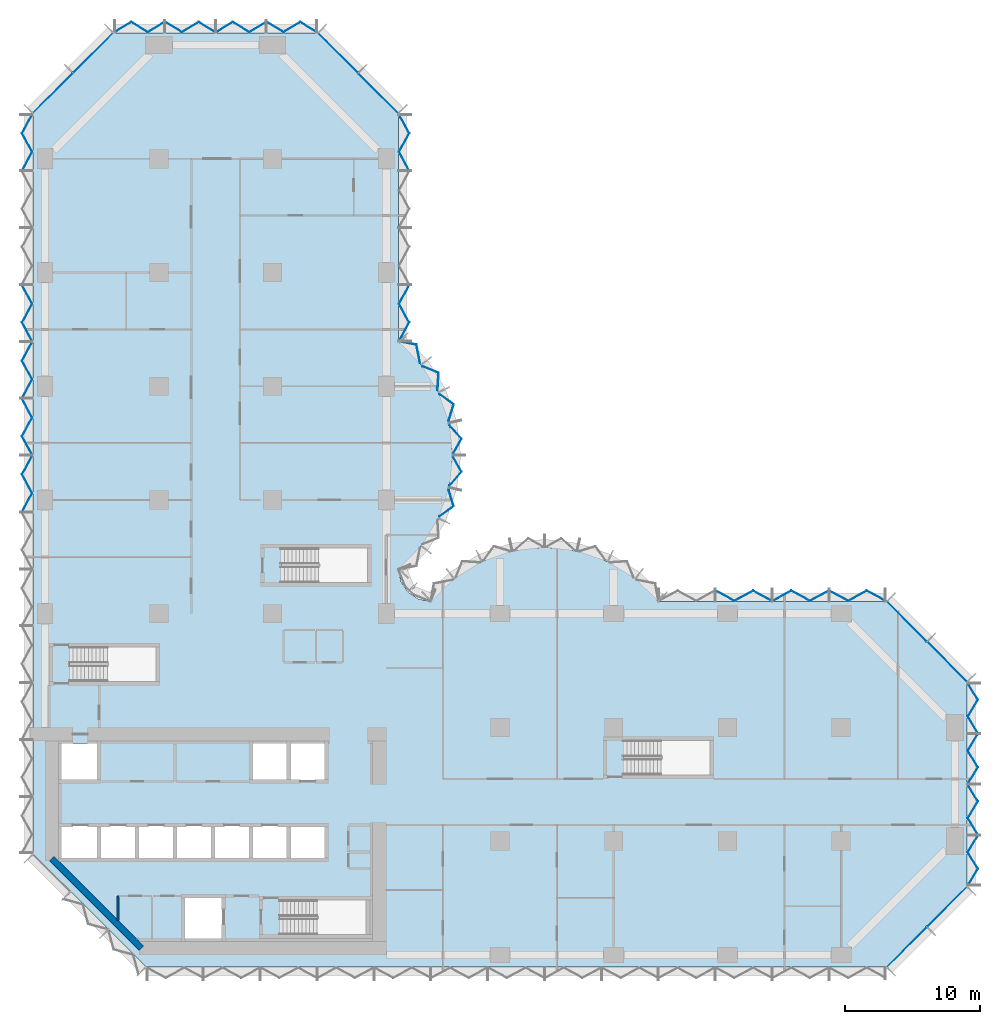
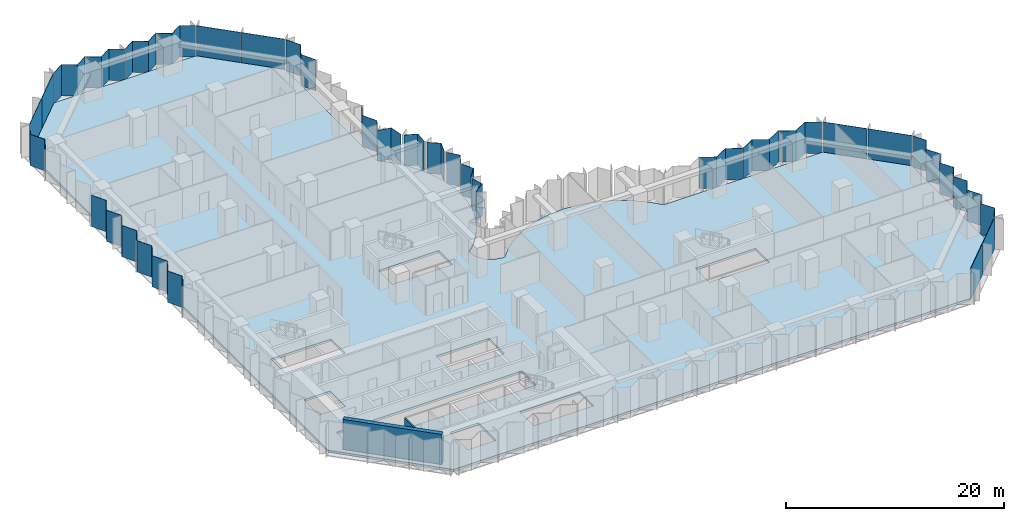
# One storey, part 6 of 15: 32 plates, 2 walls, 1 slab, 10 elements without a shape of their own.
"""IFC4 building model written with IfcOpenShell, lengths in metres."""

from ifc_helpers import new_model, si_unit, direction, frame, frame_2d, origin, place, context, subcontext, project, spatial, polyline, rectangle, outline, extrude, material, layer, layer_set, type_object, element, aggregate, save


model = new_model("IFC4")

# Units and contexts
model_context = context("Model", 3, precision=1e-05, world=origin(), true_north=direction((0.0, 1.0)))
body_context = subcontext(model_context, "Body", "Model", "MODEL_VIEW")
ifc_project = project(units=[si_unit("LENGTHUNIT", "METRE"), si_unit("AREAUNIT", "SQUARE_METRE"), si_unit("VOLUMEUNIT", "CUBIC_METRE"), si_unit("PLANEANGLEUNIT", "RADIAN"), si_unit("MASSUNIT", "GRAM", prefix="KILO")], contexts=[model_context])

# Site, building, storey
site_placement = place(None, origin())
site = spatial("IfcSite", under=ifc_project, at=site_placement, CompositionType="ELEMENT")
building_placement = place(site_placement, origin())
building = spatial("IfcBuilding", under=site, at=building_placement, Name="Brevane Broadcast Tower", CompositionType="ELEMENT")
storey_placement = place(building_placement, frame((0.0, 0.0, 54.5)))
storey = spatial("IfcBuildingStorey", under=building, at=storey_placement, Name="L11", CompositionType="ELEMENT", Elevation=54.5)

# Curtain wall, plates
ifc_material_1 = material(Name="Aluminium 6063-T6 bronze anodised", Category="aluminium")
curtain_wall_type = type_object("IfcCurtainWallType", Name="CW-1 curtain wall", PredefinedType="NOTDEFINED", material=ifc_material_1)
curtain_wall_1_placement = place(storey_placement, origin())
curtain_wall_1 = element("IfcCurtainWall", 1, at=curtain_wall_1_placement, inside=storey, type_object=curtain_wall_type, Name="CW-1 typical tilted unit L11 south-east chamfer", PredefinedType="NOTDEFINED")
ifc_material_2 = material(Name="Laminated glass bronze-tinted", Category="glass")
ifc_layer_1 = layer(ifc_material_2, 0.0400390625)
ifc_layer_set_1 = layer_set([ifc_layer_1], Name="CW tall glass panel 40")
plate_type = type_object("IfcPlateType", Name="CW tall glass panel 40", PredefinedType="CURTAIN_PANEL", material=ifc_layer_set_1)
plate_1_placement = place(storey_placement, frame((0.0, 0.0, -0.14990234375)))
plate_1 = element("IfcPlate", 2, at=plate_1_placement, type_object=plate_type, Name="CW-1 glass panel", PredefinedType="CURTAIN_PANEL", context=body_context, shape_type="SweptSolid", body=[
    extrude(outline(polyline([(62.14599609375, -0.896484375), (65.096435546875, 2.053955078125), (65.124755859375, 2.02587890625), (62.17431640625, -0.9248046875), (62.14599609375, -0.896484375)])), origin(), (0.0, 0.0, 1.0), 3.5),
])
plate_2_placement = place(storey_placement, frame((0.0, 0.0, -0.14990234375)))
plate_2 = element("IfcPlate", 3, at=plate_2_placement, type_object=plate_type, Name="CW-1 glass panel", PredefinedType="CURTAIN_PANEL", context=body_context, shape_type="SweptSolid", body=[
    extrude(outline(polyline([(65.14599609375, 2.103515625), (68.096435546875, 5.053955078125), (68.124755859375, 5.02587890625), (65.17431640625, 2.0751953125), (65.14599609375, 2.103515625)])), origin(), (0.0, 0.0, 1.0), 3.5),
])
aggregate(curtain_wall_1, [plate_1, plate_2])

curtain_wall_2_placement = place(storey_placement, origin())
curtain_wall_2 = element("IfcCurtainWall", 4, at=curtain_wall_2_placement, inside=storey, type_object=curtain_wall_type, Name="CW-1 typical tilted unit L11 east end", PredefinedType="NOTDEFINED")
plate_3_placement = place(storey_placement, frame((0.0, 0.0, -0.14990234375)))
plate_3 = element("IfcPlate", 5, at=plate_3_placement, type_object=plate_type, Name="CW-1 glass panel", PredefinedType="CURTAIN_PANEL", context=body_context, shape_type="SweptSolid", body=[
    extrude(outline(polyline([(68.126708984375, 5.135009765625), (68.17333984375, 5.135009765625), (68.917724609375, 6.36181640625), (68.17333984375, 7.58837890625), (68.917724609375, 8.81494140625), (68.87109375, 8.81494140625), (68.126708984375, 7.58837890625), (68.87109375, 6.36181640625), (68.126708984375, 5.135009765625)])), origin(), (0.0, 0.0, 1.0), 3.5),
])
plate_4_placement = place(storey_placement, frame((0.0, 0.0, -0.14990234375)))
plate_4 = element("IfcPlate", 6, at=plate_4_placement, type_object=plate_type, Name="CW-1 glass panel", PredefinedType="CURTAIN_PANEL", context=body_context, shape_type="SweptSolid", body=[
    extrude(outline(polyline([(68.87109375, 8.885009765625), (68.917724609375, 8.885009765625), (68.17333984375, 10.11181640625), (68.917724609375, 11.33837890625), (68.17333984375, 12.56494140625), (68.126708984375, 12.56494140625), (68.87109375, 11.33837890625), (68.126708984375, 10.11181640625), (68.87109375, 8.885009765625)])), origin(), (0.0, 0.0, 1.0), 3.5),
])
plate_5_placement = place(storey_placement, frame((0.0, 0.0, -0.14990234375)))
plate_5 = element("IfcPlate", 7, at=plate_5_placement, type_object=plate_type, Name="CW-1 glass panel", PredefinedType="CURTAIN_PANEL", context=body_context, shape_type="SweptSolid", body=[
    extrude(outline(polyline([(68.126708984375, 12.635009765625), (68.17333984375, 12.635009765625), (68.917724609375, 13.86181640625), (68.17333984375, 15.08837890625), (68.917724609375, 16.31494140625), (68.87109375, 16.31494140625), (68.126708984375, 15.08837890625), (68.87109375, 13.86181640625), (68.126708984375, 12.635009765625)])), origin(), (0.0, 0.0, 1.0), 3.5),
])
plate_6_placement = place(storey_placement, frame((0.0, 0.0, -0.14990234375)))
plate_6 = element("IfcPlate", 8, at=plate_6_placement, type_object=plate_type, Name="CW-1 glass panel", PredefinedType="CURTAIN_PANEL", context=body_context, shape_type="SweptSolid", body=[
    extrude(outline(polyline([(68.87109375, 16.385009765625), (68.917724609375, 16.385009765625), (68.17333984375, 17.61181640625), (68.917724609375, 18.83837890625), (68.17333984375, 20.06494140625), (68.126708984375, 20.06494140625), (68.87109375, 18.83837890625), (68.126708984375, 17.61181640625), (68.87109375, 16.385009765625)])), origin(), (0.0, 0.0, 1.0), 3.5),
])
aggregate(curtain_wall_2, [plate_3, plate_4, plate_5, plate_6])

curtain_wall_3_placement = place(storey_placement, origin())
curtain_wall_3 = element("IfcCurtainWall", 9, at=curtain_wall_3_placement, inside=storey, type_object=curtain_wall_type, Name="CW-1 typical tilted unit L11 north-east chamfer", PredefinedType="NOTDEFINED")
plate_7_placement = place(storey_placement, frame((0.0, 0.0, -0.14990234375)))
plate_7 = element("IfcPlate", 10, at=plate_7_placement, type_object=plate_type, Name="CW-1 glass panel", PredefinedType="CURTAIN_PANEL", context=body_context, shape_type="SweptSolid", body=[
    extrude(outline(polyline([(68.096435546875, 20.14599609375), (65.14599609375, 23.096435546875), (65.17431640625, 23.124755859375), (68.124755859375, 20.17431640625), (68.096435546875, 20.14599609375)])), origin(), (0.0, 0.0, 1.0), 3.5),
])
plate_8_placement = place(storey_placement, frame((0.0, 0.0, -0.14990234375)))
plate_8 = element("IfcPlate", 11, at=plate_8_placement, type_object=plate_type, Name="CW-1 glass panel", PredefinedType="CURTAIN_PANEL", context=body_context, shape_type="SweptSolid", body=[
    extrude(outline(polyline([(65.096435546875, 23.14599609375), (62.14599609375, 26.096435546875), (62.17431640625, 26.124755859375), (65.124755859375, 23.17431640625), (65.096435546875, 23.14599609375)])), origin(), (0.0, 0.0, 1.0), 3.5),
])
aggregate(curtain_wall_3, [plate_7, plate_8])

curtain_wall_4_placement = place(storey_placement, origin())
curtain_wall_4 = element("IfcCurtainWall", 12, at=curtain_wall_4_placement, inside=storey, type_object=curtain_wall_type, Name="CW-1 typical tilted unit L11 east arm north face", PredefinedType="NOTDEFINED")
plate_9_placement = place(storey_placement, frame((0.0, 0.0, -0.14990234375)))
plate_9 = element("IfcPlate", 13, at=plate_9_placement, type_object=plate_type, Name="CW-1 glass panel", PredefinedType="CURTAIN_PANEL", context=body_context, shape_type="SweptSolid", body=[
    extrude(outline(polyline([(62.06494140625, 26.127197265625), (62.06494140625, 26.172607421875), (60.688232421875, 26.9169921875), (59.311767578125, 26.172607421875), (57.93505859375, 26.9169921875), (57.93505859375, 26.87158203125), (59.311767578125, 26.127197265625), (60.688232421875, 26.87158203125), (62.06494140625, 26.127197265625)])), origin(), (0.0, 0.0, 1.0), 3.5),
])
plate_10_placement = place(storey_placement, frame((0.0, 0.0, -0.14990234375)))
plate_10 = element("IfcPlate", 14, at=plate_10_placement, type_object=plate_type, Name="CW-1 glass panel", PredefinedType="CURTAIN_PANEL", context=body_context, shape_type="SweptSolid", body=[
    extrude(outline(polyline([(57.864990234375, 26.87158203125), (57.864990234375, 26.9169921875), (56.48828125, 26.172607421875), (55.11181640625, 26.9169921875), (53.735107421875, 26.172607421875), (53.735107421875, 26.127197265625), (55.11181640625, 26.87158203125), (56.48828125, 26.127197265625), (57.864990234375, 26.87158203125)])), origin(), (0.0, 0.0, 1.0), 3.5),
])
plate_11_placement = place(storey_placement, frame((0.0, 0.0, -0.14990234375)))
plate_11 = element("IfcPlate", 15, at=plate_11_placement, type_object=plate_type, Name="CW-1 glass panel", PredefinedType="CURTAIN_PANEL", context=body_context, shape_type="SweptSolid", body=[
    extrude(outline(polyline([(53.6650390625, 26.127197265625), (53.6650390625, 26.172607421875), (52.288330078125, 26.9169921875), (50.91162109375, 26.172607421875), (49.534912109375, 26.9169921875), (49.534912109375, 26.87158203125), (50.91162109375, 26.127197265625), (52.288330078125, 26.87158203125), (53.6650390625, 26.127197265625)])), origin(), (0.0, 0.0, 1.0), 3.5),
])
aggregate(curtain_wall_4, [plate_9, plate_10, plate_11])

curtain_wall_5_placement = place(storey_placement, origin())
curtain_wall_5 = element("IfcCurtainWall", 16, at=curtain_wall_5_placement, inside=storey, type_object=curtain_wall_type, Name="CW-1 typical tilted unit L11 north bow", PredefinedType="NOTDEFINED")
plate_12_placement = place(storey_placement, frame((0.0, 0.0, -0.14990234375)))
plate_12 = element("IfcPlate", 17, at=plate_12_placement, type_object=plate_type, Name="CW-1 glass panel", PredefinedType="CURTAIN_PANEL", context=body_context, shape_type="SweptSolid", body=[
    extrude(outline(polyline([(29.104248046875, 32.400634765625), (29.1455078125, 32.381103515625), (30.20166015625, 33.132080078125), (29.83349609375, 34.349365234375), (29.78857421875, 34.359619140625), (30.155029296875, 33.148193359375), (29.104248046875, 32.400634765625)])), origin(), (0.0, 0.0, 1.0), 3.5),
])
plate_13_placement = place(storey_placement, frame((0.0, 0.0, -0.14990234375)))
plate_13 = element("IfcPlate", 18, at=plate_13_placement, type_object=plate_type, Name="CW-1 glass panel", PredefinedType="CURTAIN_PANEL", context=body_context, shape_type="SweptSolid", body=[
    extrude(outline(polyline([(29.859619140625, 34.6748046875), (29.903564453125, 34.664794921875), (30.779296875, 35.68310546875), (30.15869140625, 36.7919921875), (30.11279296875, 36.7919921875), (30.730712890625, 35.68798828125), (29.859619140625, 34.6748046875)])), origin(), (0.0, 0.0, 1.0), 3.5),
])
plate_14_placement = place(storey_placement, frame((0.0, 0.0, -0.14990234375)))
plate_14 = element("IfcPlate", 19, at=plate_14_placement, type_object=plate_type, Name="CW-1 glass panel", PredefinedType="CURTAIN_PANEL", context=body_context, shape_type="SweptSolid", body=[
    extrude(outline(polyline([(30.11279296875, 37.008056640625), (30.15869140625, 37.008056640625), (30.779296875, 38.116943359375), (29.903564453125, 39.13525390625), (29.859619140625, 39.125), (30.730712890625, 38.112060546875), (30.11279296875, 37.008056640625)])), origin(), (0.0, 0.0, 1.0), 3.5),
])
plate_15_placement = place(storey_placement, frame((0.0, 0.0, -0.14990234375)))
plate_15 = element("IfcPlate", 20, at=plate_15_placement, type_object=plate_type, Name="CW-1 glass panel", PredefinedType="CURTAIN_PANEL", context=body_context, shape_type="SweptSolid", body=[
    extrude(outline(polyline([(29.78857421875, 39.440185546875), (29.83349609375, 39.45068359375), (30.20166015625, 40.667724609375), (29.1455078125, 41.4189453125), (29.104248046875, 41.3994140625), (30.155029296875, 40.65185546875), (29.78857421875, 39.440185546875)])), origin(), (0.0, 0.0, 1.0), 3.5),
])
plate_16_placement = place(storey_placement, frame((0.0, 0.0, -0.14990234375)))
plate_16 = element("IfcPlate", 21, at=plate_16_placement, type_object=plate_type, Name="CW-1 glass panel", PredefinedType="CURTAIN_PANEL", context=body_context, shape_type="SweptSolid", body=[
    extrude(outline(polyline([(28.96533203125, 41.69091796875), (29.006591796875, 41.710693359375), (29.089111328125, 43.00390625), (27.912109375, 43.4853515625), (27.8759765625, 43.45703125), (29.04736328125, 42.977783203125), (28.96533203125, 41.69091796875)])), origin(), (0.0, 0.0, 1.0), 3.5),
])
plate_17_placement = place(storey_placement, frame((0.0, 0.0, -0.14990234375)))
plate_17 = element("IfcPlate", 22, at=plate_17_placement, type_object=plate_type, Name="CW-1 glass panel", PredefinedType="CURTAIN_PANEL", context=body_context, shape_type="SweptSolid", body=[
    extrude(outline(polyline([(27.67626953125, 43.7109375), (27.71142578125, 43.738525390625), (27.447265625, 45.086181640625), (26.17919921875, 45.327880859375), (26.14404296875, 45.2939453125), (27.4130859375, 45.052001953125), (27.67626953125, 43.7109375)])), origin(), (0.0, 0.0, 1.0), 3.5),
])
aggregate(curtain_wall_5, [plate_12, plate_13, plate_14, plate_15, plate_16, plate_17])

curtain_wall_6_placement = place(storey_placement, origin())
curtain_wall_6 = element("IfcCurtainWall", 23, at=curtain_wall_6_placement, inside=storey, type_object=curtain_wall_type, Name="CW-1 typical tilted unit L11 north arm east face", PredefinedType="NOTDEFINED")
plate_18_placement = place(storey_placement, frame((0.0, 0.0, -0.14990234375)))
plate_18 = element("IfcPlate", 24, at=plate_18_placement, type_object=plate_type, Name="CW-1 glass panel", PredefinedType="CURTAIN_PANEL", context=body_context, shape_type="SweptSolid", body=[
    extrude(outline(polyline([(26.127197265625, 45.3349609375), (26.172607421875, 45.3349609375), (26.9169921875, 46.711669921875), (26.172607421875, 48.08837890625), (26.9169921875, 49.465087890625), (26.87158203125, 49.465087890625), (26.127197265625, 48.08837890625), (26.87158203125, 46.711669921875), (26.127197265625, 45.3349609375)])), origin(), (0.0, 0.0, 1.0), 3.5),
])
plate_19_placement = place(storey_placement, frame((0.0, 0.0, -0.14990234375)))
plate_19 = element("IfcPlate", 25, at=plate_19_placement, type_object=plate_type, Name="CW-1 glass panel", PredefinedType="CURTAIN_PANEL", context=body_context, shape_type="SweptSolid", body=[
    extrude(outline(polyline([(26.87158203125, 57.93505859375), (26.9169921875, 57.93505859375), (26.172607421875, 59.311767578125), (26.9169921875, 60.688232421875), (26.172607421875, 62.06494140625), (26.127197265625, 62.06494140625), (26.87158203125, 60.688232421875), (26.127197265625, 59.311767578125), (26.87158203125, 57.93505859375)])), origin(), (0.0, 0.0, 1.0), 3.5),
])
aggregate(curtain_wall_6, [plate_18, plate_19])

curtain_wall_7_placement = place(storey_placement, origin())
curtain_wall_7 = element("IfcCurtainWall", 26, at=curtain_wall_7_placement, inside=storey, type_object=curtain_wall_type, Name="CW-1 typical tilted unit L11 north arm north-east chamfer", PredefinedType="NOTDEFINED")
plate_20_placement = place(storey_placement, frame((0.0, 0.0, -0.14990234375)))
plate_20 = element("IfcPlate", 27, at=plate_20_placement, type_object=plate_type, Name="CW-1 glass panel", PredefinedType="CURTAIN_PANEL", context=body_context, shape_type="SweptSolid", body=[
    extrude(outline(polyline([(26.096435546875, 62.14599609375), (23.14599609375, 65.096435546875), (23.17431640625, 65.124755859375), (26.124755859375, 62.17431640625), (26.096435546875, 62.14599609375)])), origin(), (0.0, 0.0, 1.0), 3.5),
])
plate_21_placement = place(storey_placement, frame((0.0, 0.0, -0.14990234375)))
plate_21 = element("IfcPlate", 28, at=plate_21_placement, type_object=plate_type, Name="CW-1 glass panel", PredefinedType="CURTAIN_PANEL", context=body_context, shape_type="SweptSolid", body=[
    extrude(outline(polyline([(23.096435546875, 65.14599609375), (20.14599609375, 68.096435546875), (20.17431640625, 68.124755859375), (23.124755859375, 65.17431640625), (23.096435546875, 65.14599609375)])), origin(), (0.0, 0.0, 1.0), 3.5),
])
aggregate(curtain_wall_7, [plate_20, plate_21])

curtain_wall_8_placement = place(storey_placement, origin())
curtain_wall_8 = element("IfcCurtainWall", 29, at=curtain_wall_8_placement, inside=storey, type_object=curtain_wall_type, Name="CW-1 typical tilted unit L11 north end", PredefinedType="NOTDEFINED")
plate_22_placement = place(storey_placement, frame((0.0, 0.0, -0.14990234375)))
plate_22 = element("IfcPlate", 30, at=plate_22_placement, type_object=plate_type, Name="CW-1 glass panel", PredefinedType="CURTAIN_PANEL", context=body_context, shape_type="SweptSolid", body=[
    extrude(outline(polyline([(20.06494140625, 68.126708984375), (20.06494140625, 68.17333984375), (18.83837890625, 68.917724609375), (17.61181640625, 68.17333984375), (16.385009765625, 68.917724609375), (16.385009765625, 68.87109375), (17.61181640625, 68.126708984375), (18.83837890625, 68.87109375), (20.06494140625, 68.126708984375)])), origin(), (0.0, 0.0, 1.0), 3.5),
])
plate_23_placement = place(storey_placement, frame((0.0, 0.0, -0.14990234375)))
plate_23 = element("IfcPlate", 31, at=plate_23_placement, type_object=plate_type, Name="CW-1 glass panel", PredefinedType="CURTAIN_PANEL", context=body_context, shape_type="SweptSolid", body=[
    extrude(outline(polyline([(16.31494140625, 68.87109375), (16.31494140625, 68.917724609375), (15.08837890625, 68.17333984375), (13.86181640625, 68.917724609375), (12.635009765625, 68.17333984375), (12.635009765625, 68.126708984375), (13.86181640625, 68.87109375), (15.08837890625, 68.126708984375), (16.31494140625, 68.87109375)])), origin(), (0.0, 0.0, 1.0), 3.5),
])
plate_24_placement = place(storey_placement, frame((0.0, 0.0, -0.14990234375)))
plate_24 = element("IfcPlate", 32, at=plate_24_placement, type_object=plate_type, Name="CW-1 glass panel", PredefinedType="CURTAIN_PANEL", context=body_context, shape_type="SweptSolid", body=[
    extrude(outline(polyline([(12.56494140625, 68.126708984375), (12.56494140625, 68.17333984375), (11.33837890625, 68.917724609375), (10.11181640625, 68.17333984375), (8.885009765625, 68.917724609375), (8.885009765625, 68.87109375), (10.11181640625, 68.126708984375), (11.33837890625, 68.87109375), (12.56494140625, 68.126708984375)])), origin(), (0.0, 0.0, 1.0), 3.5),
])
plate_25_placement = place(storey_placement, frame((0.0, 0.0, -0.14990234375)))
plate_25 = element("IfcPlate", 33, at=plate_25_placement, type_object=plate_type, Name="CW-1 glass panel", PredefinedType="CURTAIN_PANEL", context=body_context, shape_type="SweptSolid", body=[
    extrude(outline(polyline([(8.81494140625, 68.87109375), (8.81494140625, 68.917724609375), (7.58837890625, 68.17333984375), (6.36181640625, 68.917724609375), (5.135009765625, 68.17333984375), (5.135009765625, 68.126708984375), (6.36181640625, 68.87109375), (7.58837890625, 68.126708984375), (8.81494140625, 68.87109375)])), origin(), (0.0, 0.0, 1.0), 3.5),
])
aggregate(curtain_wall_8, [plate_22, plate_23, plate_24, plate_25])

curtain_wall_9_placement = place(storey_placement, origin())
curtain_wall_9 = element("IfcCurtainWall", 34, at=curtain_wall_9_placement, inside=storey, type_object=curtain_wall_type, Name="CW-1 typical tilted unit L11 north-west chamfer", PredefinedType="NOTDEFINED")
plate_26_placement = place(storey_placement, frame((0.0, 0.0, -0.14990234375)))
plate_26 = element("IfcPlate", 35, at=plate_26_placement, type_object=plate_type, Name="CW-1 glass panel", PredefinedType="CURTAIN_PANEL", context=body_context, shape_type="SweptSolid", body=[
    extrude(outline(polyline([(5.053955078125, 68.096435546875), (2.103515625, 65.14599609375), (2.0751953125, 65.17431640625), (5.02587890625, 68.124755859375), (5.053955078125, 68.096435546875)])), origin(), (0.0, 0.0, 1.0), 3.5),
])
plate_27_placement = place(storey_placement, frame((0.0, 0.0, -0.14990234375)))
plate_27 = element("IfcPlate", 36, at=plate_27_placement, type_object=plate_type, Name="CW-1 glass panel", PredefinedType="CURTAIN_PANEL", context=body_context, shape_type="SweptSolid", body=[
    extrude(outline(polyline([(2.053955078125, 65.096435546875), (-0.896484375, 62.14599609375), (-0.9248046875, 62.17431640625), (2.02587890625, 65.124755859375), (2.053955078125, 65.096435546875)])), origin(), (0.0, 0.0, 1.0), 3.5),
])
aggregate(curtain_wall_9, [plate_26, plate_27])

curtain_wall_10_placement = place(storey_placement, origin())
curtain_wall_10 = element("IfcCurtainWall", 37, at=curtain_wall_10_placement, inside=storey, type_object=curtain_wall_type, Name="CW-1 typical tilted unit L11 west face", PredefinedType="NOTDEFINED")
plate_28_placement = place(storey_placement, frame((0.0, 0.0, -0.14990234375)))
plate_28 = element("IfcPlate", 38, at=plate_28_placement, type_object=plate_type, Name="CW-1 glass panel", PredefinedType="CURTAIN_PANEL", context=body_context, shape_type="SweptSolid", body=[
    extrude(outline(polyline([(-0.92724609375, 62.06494140625), (-0.97265625, 62.06494140625), (-1.717041015625, 60.688232421875), (-0.97265625, 59.311767578125), (-1.717041015625, 57.93505859375), (-1.671630859375, 57.93505859375), (-0.92724609375, 59.311767578125), (-1.671630859375, 60.688232421875), (-0.92724609375, 62.06494140625)])), origin(), (0.0, 0.0, 1.0), 3.5),
])
plate_29_placement = place(storey_placement, frame((0.0, 0.0, -0.14990234375)))
plate_29 = element("IfcPlate", 39, at=plate_29_placement, type_object=plate_type, Name="CW-1 glass panel", PredefinedType="CURTAIN_PANEL", context=body_context, shape_type="SweptSolid", body=[
    extrude(outline(polyline([(-1.671630859375, 49.465087890625), (-1.717041015625, 49.465087890625), (-0.97265625, 48.08837890625), (-1.717041015625, 46.711669921875), (-0.97265625, 45.3349609375), (-0.92724609375, 45.3349609375), (-1.671630859375, 46.711669921875), (-0.92724609375, 48.08837890625), (-1.671630859375, 49.465087890625)])), origin(), (0.0, 0.0, 1.0), 3.5),
])
plate_30_placement = place(storey_placement, frame((0.0, 0.0, -0.14990234375)))
plate_30 = element("IfcPlate", 40, at=plate_30_placement, type_object=plate_type, Name="CW-1 glass panel", PredefinedType="CURTAIN_PANEL", context=body_context, shape_type="SweptSolid", body=[
    extrude(outline(polyline([(-0.92724609375, 45.264892578125), (-0.97265625, 45.264892578125), (-1.717041015625, 43.88818359375), (-0.97265625, 42.51171875), (-1.717041015625, 41.135009765625), (-1.671630859375, 41.135009765625), (-0.92724609375, 42.51171875), (-1.671630859375, 43.88818359375), (-0.92724609375, 45.264892578125)])), origin(), (0.0, 0.0, 1.0), 3.5),
])
plate_31_placement = place(storey_placement, frame((0.0, 0.0, -0.14990234375)))
plate_31 = element("IfcPlate", 41, at=plate_31_placement, type_object=plate_type, Name="CW-1 glass panel", PredefinedType="CURTAIN_PANEL", context=body_context, shape_type="SweptSolid", body=[
    extrude(outline(polyline([(-1.671630859375, 41.06494140625), (-1.717041015625, 41.06494140625), (-0.97265625, 39.688232421875), (-1.717041015625, 38.311767578125), (-0.97265625, 36.93505859375), (-0.92724609375, 36.93505859375), (-1.671630859375, 38.311767578125), (-0.92724609375, 39.688232421875), (-1.671630859375, 41.06494140625)])), origin(), (0.0, 0.0, 1.0), 3.5),
])
plate_32_placement = place(storey_placement, frame((0.0, 0.0, -0.14990234375)))
plate_32 = element("IfcPlate", 42, at=plate_32_placement, type_object=plate_type, Name="CW-1 glass panel", PredefinedType="CURTAIN_PANEL", context=body_context, shape_type="SweptSolid", body=[
    extrude(outline(polyline([(-0.92724609375, 36.864990234375), (-0.97265625, 36.864990234375), (-1.717041015625, 35.48828125), (-0.97265625, 34.11181640625), (-1.717041015625, 32.735107421875), (-1.671630859375, 32.735107421875), (-0.92724609375, 34.11181640625), (-1.671630859375, 35.48828125), (-0.92724609375, 36.864990234375)])), origin(), (0.0, 0.0, 1.0), 3.5),
])
aggregate(curtain_wall_10, [plate_28, plate_29, plate_30, plate_31, plate_32])

# Slab
ifc_material_3 = material(Name="Concrete C40/50", Category="concrete")
ifc_layer_2 = layer(ifc_material_3, 0.25)
ifc_layer_set_2 = layer_set([ifc_layer_2], Name="RC FLOOR SLAB 250 C40/50")
slab_type = type_object("IfcSlabType", Name="RC FLOOR SLAB 250 C40/50", PredefinedType="FLOOR", material=ifc_layer_set_2)
slab_placement = place(storey_placement, frame((0.0, 0.0, -0.25)))
element("IfcSlab", 43, at=slab_placement, inside=storey, type_object=slab_type, Name="SL250 L11", PredefinedType="FLOOR", context=body_context, shape_type="SweptSolid", body=[
    extrude(outline(polyline([(-0.89990234375, 7.5), (-0.89990234375, 62.10009765625), (5.10009765625, 68.10009765625), (20.10009765625, 68.10009765625), (26.10009765625, 62.10009765625), (26.10009765625, 45.300048828125), (27.10888671875, 44.36865234375), (27.99169921875, 43.317138671875), (28.734130859375, 42.162353515625), (29.324462890625, 40.922607421875), (29.7529296875, 39.618408203125), (30.012939453125, 38.270263671875), (30.10009765625, 36.89990234375), (30.012939453125, 35.52978515625), (29.7529296875, 34.181640625), (29.324462890625, 32.877197265625), (28.734130859375, 31.6376953125), (27.99169921875, 30.48291015625), (27.10888671875, 29.431396484375), (26.10009765625, 28.5), (26.28271484375, 27.58154296875), (26.802978515625, 26.802978515625), (27.58154296875, 26.28271484375), (28.5, 26.10009765625), (29.431396484375, 27.10888671875), (30.48291015625, 27.99169921875), (31.6376953125, 28.734130859375), (32.877197265625, 29.324462890625), (34.181640625, 29.7529296875), (35.52978515625, 30.012939453125), (36.89990234375, 30.10009765625), (38.270263671875, 30.012939453125), (39.618408203125, 29.7529296875), (40.922607421875, 29.324462890625), (42.162353515625, 28.734130859375), (43.317138671875, 27.99169921875), (44.36865234375, 27.10888671875), (45.300048828125, 26.10009765625), (62.10009765625, 26.10009765625), (68.10009765625, 20.10009765625), (68.10009765625, 5.10009765625), (62.10009765625, -0.89990234375), (7.5, -0.89990234375), (-0.89990234375, 7.5)]), holes=[polyline([(13.199951171875, 4.39990234375), (10.199951171875, 4.39990234375), (10.199951171875, 1.199951171875), (13.199951171875, 1.199951171875), (13.199951171875, 4.39990234375)]), polyline([(4.0, 9.60009765625), (1.199951171875, 9.60009765625), (1.199951171875, 7.0), (4.0, 7.0), (6.800048828125, 7.0), (9.60009765625, 7.0), (12.39990234375, 7.0), (15.199951171875, 7.0), (18.0, 7.0), (20.800048828125, 7.0), (20.800048828125, 9.60009765625), (18.0, 9.60009765625), (15.199951171875, 9.60009765625), (12.39990234375, 9.60009765625), (9.60009765625, 9.60009765625), (6.800048828125, 9.60009765625), (4.0, 9.60009765625)]), polyline([(4.0, 12.800048828125), (4.0, 15.60009765625), (1.199951171875, 15.60009765625), (1.199951171875, 12.800048828125), (4.0, 12.800048828125)]), polyline([(8.199951171875, 22.75), (1.860107421875, 22.75), (1.860107421875, 20.199951171875), (8.199951171875, 20.199951171875), (8.199951171875, 22.75)]), polyline([(23.699951171875, 4.050048828125), (17.360107421875, 4.050048828125), (17.360107421875, 1.5), (23.699951171875, 1.5), (23.699951171875, 4.050048828125)]), polyline([(18.0, 15.60009765625), (15.199951171875, 15.60009765625), (15.199951171875, 12.800048828125), (18.0, 12.800048828125), (20.800048828125, 12.800048828125), (20.800048828125, 15.60009765625), (18.0, 15.60009765625)]), polyline([(49.10009765625, 15.85009765625), (42.760009765625, 15.85009765625), (42.760009765625, 13.300048828125), (49.10009765625, 13.300048828125), (49.10009765625, 15.85009765625)]), polyline([(23.800048828125, 30.050048828125), (17.4599609375, 30.050048828125), (17.4599609375, 27.5), (23.800048828125, 27.5), (23.800048828125, 30.050048828125)])]), origin(), (0.0, 0.0, 1.0), 0.25),
])

# Walls
ifc_material_4 = material(Name="Gypsum board on steel studs", Category="steel")
ifc_layer_3 = layer(ifc_material_4, 0.14990234375)
ifc_layer_set_3 = layer_set([ifc_layer_3], Name="Core fire partition 150 mm")
wall_type_1 = type_object("IfcWallType", Name="Core fire partition 150 mm", PredefinedType="PARTITIONING", material=ifc_layer_set_3)
wall_1_placement = place(storey_placement, frame((5.39990234375, 2.553466796875, 0.0), z_axis=(0.0, 0.0, 1.0), x_axis=(0.0, 1.0, 0.0)))
element("IfcWall", 44, at=wall_1_placement, inside=storey, type_object=wall_type_1, Name="L11 partition wall P10", PredefinedType="PARTITIONING", context=body_context, shape_type="SweptSolid", body=[
    extrude(rectangle(XDim=1.796630859375, YDim=0.14990234375, at=frame_2d((0.8984375, 0.0))), origin(), (0.0, 0.0, 1.0), 3.35009765625),
])
ifc_material_5 = material(Name="Concrete C80/95", Category="concrete")
ifc_layer_4 = layer(ifc_material_5, 0.449951171875)
ifc_layer_set_4 = layer_set([ifc_layer_4], Name="Core wall 450 mm C80/95")
wall_type_2 = type_object("IfcWallType", Name="Core wall 450 mm C80/95", PredefinedType="SHEAR", material=ifc_layer_set_4)
wall_2_placement = place(storey_placement, frame((0.5, 7.1181640625, 0.0), z_axis=(0.0, 0.0, 1.0), x_axis=(0.707106781187, -0.707106781187, 0.0)))
element("IfcWall", 45, at=wall_2_placement, inside=storey, type_object=wall_type_2, Name="L11 outer wall WC", PredefinedType="SHEAR", context=body_context, shape_type="SweptSolid", body=[
    extrude(rectangle(XDim=9.359619140625, YDim=0.449951171875, at=frame_2d((4.6796875, 0.0))), origin(), (0.0, 0.0, 1.0), 3.35009765625),
])

save(model, "model.ifc")
